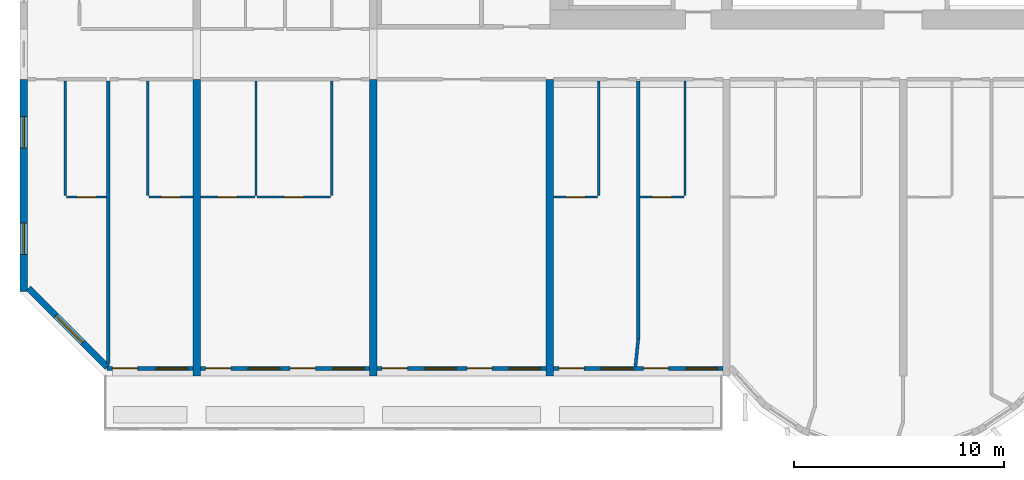
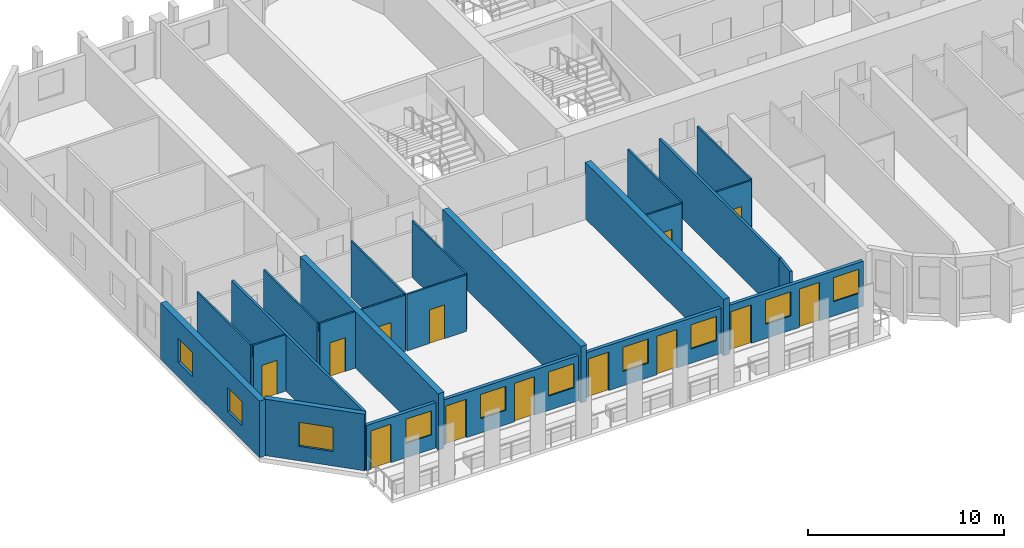
# One storey, part 2 of 15: 24 walls, 13 doors, 10 windows, 23 openings.
"""IFC4 building model written with IfcOpenShell, lengths in metres."""

from ifc_helpers import new_model, si_unit, direction, frame, frame_2d, origin, place, context, subcontext, project, spatial, rectangle, extrude, source, transform, mapped, material, layer, layer_set, type_object, element, fill, save


model = new_model("IFC4")

# Units and contexts
model_context = context("Model", 3, precision=1e-05, world=origin(), true_north=direction((0.0, 1.0)))
body_context = subcontext(model_context, "Body", "Model", "MODEL_VIEW")
ifc_project = project(units=[si_unit("LENGTHUNIT", "METRE"), si_unit("AREAUNIT", "SQUARE_METRE"), si_unit("VOLUMEUNIT", "CUBIC_METRE"), si_unit("PLANEANGLEUNIT", "RADIAN"), si_unit("MASSUNIT", "GRAM", prefix="KILO")], contexts=[model_context])

# Site, building, storey
site_placement = place(None, origin())
site = spatial("IfcSite", under=ifc_project, at=site_placement, CompositionType="ELEMENT")
building_placement = place(site_placement, origin())
building = spatial("IfcBuilding", under=site, at=building_placement, Name="Vanashikhar Sky Hotel", CompositionType="ELEMENT")
storey_placement = place(building_placement, frame((0.0, 0.0, 95.199951171875)))
storey = spatial("IfcBuildingStorey", under=building, at=storey_placement, Name="L22", CompositionType="ELEMENT", Elevation=95.199951171875)

# Wall, openings, windows
ifc_material_1 = material(Name="Concrete M70", Category="concrete")
ifc_layer_1 = layer(ifc_material_1, 0.35009765625)
ifc_layer_set_1 = layer_set([ifc_layer_1], Name="RC shear wall 350 Concrete M70")
wall_type_1 = type_object("IfcWallType", Name="RC shear wall 350 Concrete M70", PredefinedType="SHEAR", material=ifc_layer_set_1)
shared_shape_1 = source(origin(), body_context, "Body", "SweptSolid", [
    extrude(rectangle(XDim=10.10009765625, YDim=0.35009765625, at=frame_2d((5.050048828125, 0.0))), origin(), (0.0, 0.0, 1.0), 3.52001953125),
])
wall_1_placement = place(storey_placement, frame((0.175048828125, 9.5, 0.0), z_axis=(0.0, 0.0, 1.0), x_axis=(0.0, 1.0, 0.0)))
wall_1 = element("IfcWall", 1, at=wall_1_placement, inside=storey, type_object=wall_type_1, Name="CW-L22-XW01-1", PredefinedType="SHEAR", context=body_context, shape_type="MappedRepresentation", body=[
    mapped(shared_shape_1, transform((0.0, 0.0, 0.0), scale=1.0)),
])
shared_shape_2 = source(origin(), body_context, "Body", "SweptSolid", [
    extrude(rectangle(XDim=1.5, YDim=1.5, at=frame_2d((0.75, 0.75))), frame((0.0, 0.18505859375, 0.0), z_axis=(0.0, -1.0, 0.0), x_axis=(1.0, 0.0, 0.0)), (0.0, 0.0, 1.0), 0.3701171875),
])
opening_1_placement = place(wall_1_placement, frame((1.77490234375, 0.0, 0.89990234375)))
opening_1 = element("IfcOpeningElement", 2, at=opening_1_placement, cuts=wall_1, Name="Opening WN-1", PredefinedType="OPENING", context=body_context, shape_type="MappedRepresentation", body=[
    mapped(shared_shape_2, transform((0.0, 0.0, 0.0), scale=1.0)),
])
opening_2_placement = place(wall_1_placement, frame((6.824951171875, 0.0, 0.89990234375)))
opening_2 = element("IfcOpeningElement", 3, at=opening_2_placement, cuts=wall_1, Name="Opening WN-1", PredefinedType="OPENING", context=body_context, shape_type="MappedRepresentation", body=[
    mapped(shared_shape_2, transform((0.0, 0.0, 0.0), scale=1.0)),
])
ifc_material_2 = material(Name="Glass", Category="glass")
window_type_1 = type_object("IfcWindowType", Name="Window 1500 x 1500", PartitioningType="SINGLE_PANEL", PredefinedType="WINDOW", material=ifc_material_2)
shared_shape_3 = source(origin(), body_context, "Body", "SweptSolid", [
    extrude(rectangle(XDim=1.5, YDim=1.5, at=frame_2d((0.75, 0.75))), frame((0.0, 0.030029296875, 0.0), z_axis=(0.0, -1.0, 0.0), x_axis=(1.0, 0.0, 0.0)), (0.0, 0.0, 1.0), 0.06005859375),
])
window_1_placement = place(opening_1_placement, origin())
window_1 = element("IfcWindow", 4, at=window_1_placement, inside=storey, type_object=window_type_1, Name="Window WN-1", OverallHeight=1.5, OverallWidth=1.5, PartitioningType="SINGLE_PANEL", PredefinedType="WINDOW", context=body_context, shape_type="MappedRepresentation", body=[
    mapped(shared_shape_3, transform((0.0, 0.0, 0.0), scale=1.0)),
])
fill(opening_1, window_1)
window_2_placement = place(opening_2_placement, origin())
window_2 = element("IfcWindow", 5, at=window_2_placement, inside=storey, type_object=window_type_1, Name="Window WN-1", OverallHeight=1.5, OverallWidth=1.5, PartitioningType="SINGLE_PANEL", PredefinedType="WINDOW", context=body_context, shape_type="MappedRepresentation", body=[
    mapped(shared_shape_3, transform((0.0, 0.0, 0.0), scale=1.0)),
])
fill(opening_2, window_2)

# Walls
shared_shape_4 = source(origin(), body_context, "Body", "SweptSolid", [
    extrude(rectangle(XDim=14.10009765625, YDim=0.35009765625, at=frame_2d((7.050048828125, 0.0))), origin(), (0.0, 0.0, 1.0), 3.52001953125),
])
for number, where, z_axis, x_axis, name in (
    (6, (8.39990234375, 5.5, 0.0), (0.0, 0.0, 1.0), (0.0, 1.0, 0.0), "CW-L22-XW02-1"),
    (7, (16.800048828125, 5.5, 0.0), (0.0, 0.0, 1.0), (0.0, 1.0, 0.0), "CW-L22-XW03-1"),
    (8, (25.199951171875, 5.5, 0.0), (0.0, 0.0, 1.0), (0.0, 1.0, 0.0), "CW-L22-XW04-1"),
):
    element("IfcWall", number, at=place(storey_placement, frame(where, z_axis=z_axis, x_axis=x_axis)), inside=storey, type_object=wall_type_1, Name=name, PredefinedType="SHEAR", context=body_context, shape_type="MappedRepresentation", body=[
        mapped(shared_shape_4, transform((0.0, 0.0, 0.0), scale=1.0)),
    ])

# Wall, opening, window
ifc_material_3 = material(Name="Concrete M50", Category="concrete")
ifc_layer_2 = layer(ifc_material_3, 0.300048828125)
ifc_layer_set_2 = layer_set([ifc_layer_2], Name="Lobe wall 300")
wall_type_2 = type_object("IfcWallType", Name="Lobe wall 300", PredefinedType="SOLIDWALL", material=ifc_layer_set_2)
shared_shape_5 = source(origin(), body_context, "Body", "SweptSolid", [
    extrude(rectangle(XDim=5.32568359375, YDim=0.300048828125, at=frame_2d((2.662841796875, 0.0))), origin(), (0.0, 0.0, 1.0), 3.52001953125),
])
wall_2_placement = place(storey_placement, frame((0.39990234375, 9.665771484375, 0.0), z_axis=(0.0, 0.0, 1.0), x_axis=(0.707106781187, -0.707106781187, 0.0)))
wall_2 = element("IfcWall", 9, at=wall_2_placement, inside=storey, type_object=wall_type_2, Name="Corner wall", PredefinedType="SOLIDWALL", context=body_context, shape_type="MappedRepresentation", body=[
    mapped(shared_shape_5, transform((0.0, 0.0, 0.0), scale=1.0)),
])
shared_shape_6 = source(origin(), body_context, "Body", "SweptSolid", [
    extrude(rectangle(XDim=1.800048828125, YDim=1.5, at=frame_2d((0.89990234375, 0.75))), frame((0.0, 0.16015625, 0.0), z_axis=(0.0, -1.0, 0.0), x_axis=(1.0, 0.0, 0.0)), (0.0, 0.0, 1.0), 0.320068359375),
])
opening_3_placement = place(wall_2_placement, frame((1.853759765625, 0.0, 0.89990234375)))
opening_3 = element("IfcOpeningElement", 10, at=opening_3_placement, cuts=wall_2, Name="Opening WN-4", PredefinedType="OPENING", context=body_context, shape_type="MappedRepresentation", body=[
    mapped(shared_shape_6, transform((0.0, 0.0, 0.0), scale=1.0)),
])
window_type_2 = type_object("IfcWindowType", Name="Corner window 1800 x 1500", PartitioningType="SINGLE_PANEL", PredefinedType="WINDOW", material=ifc_material_2)
shared_shape_7 = source(origin(), body_context, "Body", "SweptSolid", [
    extrude(rectangle(XDim=1.800048828125, YDim=1.5, at=frame_2d((0.89990234375, 0.75))), frame((0.0, 0.030029296875, 0.0), z_axis=(0.0, -1.0, 0.0), x_axis=(1.0, 0.0, 0.0)), (0.0, 0.0, 1.0), 0.06005859375),
])
window_3_placement = place(opening_3_placement, origin())
window_3 = element("IfcWindow", 11, at=window_3_placement, inside=storey, type_object=window_type_2, Name="Window WN-4", OverallHeight=1.5, OverallWidth=1.800048828125, PartitioningType="SINGLE_PANEL", PredefinedType="WINDOW", context=body_context, shape_type="MappedRepresentation", body=[
    mapped(shared_shape_7, transform((0.0, 0.0, 0.0), scale=1.0)),
])
fill(opening_3, window_3)

# Wall, openings, window, door
ifc_layer_3 = layer(ifc_material_3, 0.199951171875)
ifc_layer_set_3 = layer_set([ifc_layer_3], Name="Front window wall 200")
wall_type_3 = type_object("IfcWallType", Name="Front window wall 200", PredefinedType="SOLIDWALL", material=ifc_layer_set_3)
shared_shape_8 = source(origin(), body_context, "Body", "SweptSolid", [
    extrude(rectangle(XDim=4.080078125, YDim=0.199951171875, at=frame_2d((2.0400390625, 0.0))), origin(), (0.0, 0.0, 1.0), 2.820068359375),
])
wall_3_placement = place(storey_placement, frame((4.14501953125, 5.85009765625, 0.0), z_axis=(0.0, 0.0, 1.0), x_axis=(1.0, 0.0, 0.0)))
wall_3 = element("IfcWall", 12, at=wall_3_placement, inside=storey, type_object=wall_type_3, Name="Front window wall", PredefinedType="SOLIDWALL", context=body_context, shape_type="MappedRepresentation", body=[
    mapped(shared_shape_8, transform((0.0, 0.0, 0.0), scale=1.0)),
])
shared_shape_9 = source(origin(), body_context, "Body", "SweptSolid", [
    extrude(rectangle(XDim=1.199951171875, YDim=2.39990234375, at=frame_2d((0.60009765625, 1.199951171875))), frame((0.0, 0.10986328125, 0.0), z_axis=(0.0, -1.0, 0.0), x_axis=(1.0, 0.0, 0.0)), (0.0, 0.0, 1.0), 0.219970703125),
])
opening_4_placement = place(wall_3_placement, frame((0.25, 0.0, 0.0)))
opening_4 = element("IfcOpeningElement", 13, at=opening_4_placement, cuts=wall_3, Name="Opening BD-01", PredefinedType="OPENING", context=body_context, shape_type="MappedRepresentation", body=[
    mapped(shared_shape_9, transform((0.0, 0.0, 0.0), scale=1.0)),
])
shared_shape_10 = source(origin(), body_context, "Body", "SweptSolid", [
    extrude(rectangle(XDim=1.5, YDim=1.5, at=frame_2d((0.75, 0.75))), frame((0.0, 0.10986328125, 0.0), z_axis=(0.0, -1.0, 0.0), x_axis=(1.0, 0.0, 0.0)), (0.0, 0.0, 1.0), 0.219970703125),
])
opening_5_placement = place(wall_3_placement, frame((2.330078125, 0.0, 0.89990234375)))
opening_5 = element("IfcOpeningElement", 14, at=opening_5_placement, cuts=wall_3, Name="Opening WN-1", PredefinedType="OPENING", context=body_context, shape_type="MappedRepresentation", body=[
    mapped(shared_shape_10, transform((0.0, 0.0, 0.0), scale=1.0)),
])
window_4_placement = place(opening_5_placement, origin())
window_4 = element("IfcWindow", 15, at=window_4_placement, inside=storey, type_object=window_type_1, Name="Window WN-1", OverallHeight=1.5, OverallWidth=1.5, PartitioningType="SINGLE_PANEL", PredefinedType="WINDOW", context=body_context, shape_type="MappedRepresentation", body=[
    mapped(shared_shape_3, transform((0.0, 0.0, 0.0), scale=1.0)),
])
fill(opening_5, window_4)
ifc_material_4 = material(Name="Aluminium", Category="aluminium")
door_type_1 = type_object("IfcDoorType", Name="Balcony sliding door 1200 x 2400", OperationType="NOTDEFINED", PredefinedType="DOOR", material=ifc_material_4)
shared_shape_11 = source(origin(), body_context, "Body", "SweptSolid", [
    extrude(rectangle(XDim=1.199951171875, YDim=2.39990234375, at=frame_2d((0.60009765625, 1.199951171875))), frame((0.0, 0.02490234375, 0.0), z_axis=(0.0, -1.0, 0.0), x_axis=(1.0, 0.0, 0.0)), (0.0, 0.0, 1.0), 0.050048828125),
])
door_1_placement = place(opening_4_placement, origin())
door_1 = element("IfcDoor", 16, at=door_1_placement, inside=storey, type_object=door_type_1, Name="Balcony sliding door", OperationType="SLIDING_TO_LEFT", OverallHeight=2.39990234375, OverallWidth=1.199951171875, PredefinedType="DOOR", context=body_context, shape_type="MappedRepresentation", body=[
    mapped(shared_shape_11, transform((0.0, 0.0, 0.0), scale=1.0)),
])
fill(opening_4, door_1)

# Wall, openings, windows, doors
shared_shape_12 = source(origin(), body_context, "Body", "SweptSolid", [
    extrude(rectangle(XDim=8.050048828125, YDim=0.199951171875, at=frame_2d((4.02490234375, 0.0))), origin(), (0.0, 0.0, 1.0), 2.820068359375),
])
wall_4_placement = place(storey_placement, frame((8.574951171875, 5.85009765625, 0.0), z_axis=(0.0, 0.0, 1.0), x_axis=(1.0, 0.0, 0.0)))
wall_4 = element("IfcWall", 17, at=wall_4_placement, inside=storey, type_object=wall_type_3, Name="Front window wall", PredefinedType="SOLIDWALL", context=body_context, shape_type="MappedRepresentation", body=[
    mapped(shared_shape_12, transform((0.0, 0.0, 0.0), scale=1.0)),
])
opening_6_placement = place(wall_4_placement, frame((0.25, 0.0, 0.0)))
opening_6 = element("IfcOpeningElement", 18, at=opening_6_placement, cuts=wall_4, Name="Opening BD-02", PredefinedType="OPENING", context=body_context, shape_type="MappedRepresentation", body=[
    mapped(shared_shape_9, transform((0.0, 0.0, 0.0), scale=1.0)),
])
opening_7_placement = place(wall_4_placement, frame((2.27490234375, 0.0, 0.89990234375)))
opening_7 = element("IfcOpeningElement", 19, at=opening_7_placement, cuts=wall_4, Name="Opening WN-1", PredefinedType="OPENING", context=body_context, shape_type="MappedRepresentation", body=[
    mapped(shared_shape_10, transform((0.0, 0.0, 0.0), scale=1.0)),
])
opening_8_placement = place(wall_4_placement, frame((4.27490234375, 0.0, 0.0)))
opening_8 = element("IfcOpeningElement", 20, at=opening_8_placement, cuts=wall_4, Name="Opening BD-03", PredefinedType="OPENING", context=body_context, shape_type="MappedRepresentation", body=[
    mapped(shared_shape_9, transform((0.0, 0.0, 0.0), scale=1.0)),
])
opening_9_placement = place(wall_4_placement, frame((6.300048828125, 0.0, 0.89990234375)))
opening_9 = element("IfcOpeningElement", 21, at=opening_9_placement, cuts=wall_4, Name="Opening WN-1", PredefinedType="OPENING", context=body_context, shape_type="MappedRepresentation", body=[
    mapped(shared_shape_10, transform((0.0, 0.0, 0.0), scale=1.0)),
])
window_5_placement = place(opening_7_placement, origin())
window_5 = element("IfcWindow", 22, at=window_5_placement, inside=storey, type_object=window_type_1, Name="Window WN-1", OverallHeight=1.5, OverallWidth=1.5, PartitioningType="SINGLE_PANEL", PredefinedType="WINDOW", context=body_context, shape_type="MappedRepresentation", body=[
    mapped(shared_shape_3, transform((0.0, 0.0, 0.0), scale=1.0)),
])
fill(opening_7, window_5)
window_6_placement = place(opening_9_placement, origin())
window_6 = element("IfcWindow", 23, at=window_6_placement, inside=storey, type_object=window_type_1, Name="Window WN-1", OverallHeight=1.5, OverallWidth=1.5, PartitioningType="SINGLE_PANEL", PredefinedType="WINDOW", context=body_context, shape_type="MappedRepresentation", body=[
    mapped(shared_shape_3, transform((0.0, 0.0, 0.0), scale=1.0)),
])
fill(opening_9, window_6)
door_2_placement = place(opening_6_placement, origin())
door_2 = element("IfcDoor", 24, at=door_2_placement, inside=storey, type_object=door_type_1, Name="Balcony sliding door", OperationType="SLIDING_TO_RIGHT", OverallHeight=2.39990234375, OverallWidth=1.199951171875, PredefinedType="DOOR", context=body_context, shape_type="MappedRepresentation", body=[
    mapped(shared_shape_11, transform((0.0, 0.0, 0.0), scale=1.0)),
])
fill(opening_6, door_2)
door_3_placement = place(opening_8_placement, origin())
door_3 = element("IfcDoor", 25, at=door_3_placement, inside=storey, type_object=door_type_1, Name="Balcony sliding door", OperationType="SLIDING_TO_LEFT", OverallHeight=2.39990234375, OverallWidth=1.199951171875, PredefinedType="DOOR", context=body_context, shape_type="MappedRepresentation", body=[
    mapped(shared_shape_11, transform((0.0, 0.0, 0.0), scale=1.0)),
])
fill(opening_8, door_3)

wall_5_placement = place(storey_placement, frame((25.375, 5.85009765625, 0.0), z_axis=(0.0, 0.0, 1.0), x_axis=(1.0, 0.0, 0.0)))
wall_5 = element("IfcWall", 26, at=wall_5_placement, inside=storey, type_object=wall_type_3, Name="Front window wall", PredefinedType="SOLIDWALL", context=body_context, shape_type="MappedRepresentation", body=[
    mapped(shared_shape_12, transform((0.0, 0.0, 0.0), scale=1.0)),
])
opening_10_placement = place(wall_5_placement, frame((0.25, 0.0, 0.0)))
opening_10 = element("IfcOpeningElement", 27, at=opening_10_placement, cuts=wall_5, Name="Opening BD-06", PredefinedType="OPENING", context=body_context, shape_type="MappedRepresentation", body=[
    mapped(shared_shape_9, transform((0.0, 0.0, 0.0), scale=1.0)),
])
opening_11_placement = place(wall_5_placement, frame((2.27490234375, 0.0, 0.89990234375)))
opening_11 = element("IfcOpeningElement", 28, at=opening_11_placement, cuts=wall_5, Name="Opening WN-1", PredefinedType="OPENING", context=body_context, shape_type="MappedRepresentation", body=[
    mapped(shared_shape_10, transform((0.0, 0.0, 0.0), scale=1.0)),
])
opening_12_placement = place(wall_5_placement, frame((4.27490234375, 0.0, 0.0)))
opening_12 = element("IfcOpeningElement", 29, at=opening_12_placement, cuts=wall_5, Name="Opening BD-07", PredefinedType="OPENING", context=body_context, shape_type="MappedRepresentation", body=[
    mapped(shared_shape_9, transform((0.0, 0.0, 0.0), scale=1.0)),
])
opening_13_placement = place(wall_5_placement, frame((6.300048828125, 0.0, 0.89990234375)))
opening_13 = element("IfcOpeningElement", 30, at=opening_13_placement, cuts=wall_5, Name="Opening WN-1", PredefinedType="OPENING", context=body_context, shape_type="MappedRepresentation", body=[
    mapped(shared_shape_10, transform((0.0, 0.0, 0.0), scale=1.0)),
])
window_7_placement = place(opening_11_placement, origin())
window_7 = element("IfcWindow", 31, at=window_7_placement, inside=storey, type_object=window_type_1, Name="Window WN-1", OverallHeight=1.5, OverallWidth=1.5, PartitioningType="SINGLE_PANEL", PredefinedType="WINDOW", context=body_context, shape_type="MappedRepresentation", body=[
    mapped(shared_shape_3, transform((0.0, 0.0, 0.0), scale=1.0)),
])
fill(opening_11, window_7)
window_8_placement = place(opening_13_placement, origin())
window_8 = element("IfcWindow", 32, at=window_8_placement, inside=storey, type_object=window_type_1, Name="Window WN-1", OverallHeight=1.5, OverallWidth=1.5, PartitioningType="SINGLE_PANEL", PredefinedType="WINDOW", context=body_context, shape_type="MappedRepresentation", body=[
    mapped(shared_shape_3, transform((0.0, 0.0, 0.0), scale=1.0)),
])
fill(opening_13, window_8)
door_4_placement = place(opening_10_placement, origin())
door_4 = element("IfcDoor", 33, at=door_4_placement, inside=storey, type_object=door_type_1, Name="Balcony sliding door", OperationType="SLIDING_TO_RIGHT", OverallHeight=2.39990234375, OverallWidth=1.199951171875, PredefinedType="DOOR", context=body_context, shape_type="MappedRepresentation", body=[
    mapped(shared_shape_11, transform((0.0, 0.0, 0.0), scale=1.0)),
])
fill(opening_10, door_4)
door_5_placement = place(opening_12_placement, origin())
door_5 = element("IfcDoor", 34, at=door_5_placement, inside=storey, type_object=door_type_1, Name="Balcony sliding door", OperationType="SLIDING_TO_LEFT", OverallHeight=2.39990234375, OverallWidth=1.199951171875, PredefinedType="DOOR", context=body_context, shape_type="MappedRepresentation", body=[
    mapped(shared_shape_11, transform((0.0, 0.0, 0.0), scale=1.0)),
])
fill(opening_12, door_5)

shared_shape_13 = source(origin(), body_context, "Body", "SweptSolid", [
    extrude(rectangle(XDim=8.0498046875, YDim=0.199951171875, at=frame_2d((4.02490234375, 0.0))), origin(), (0.0, 0.0, 1.0), 2.820068359375),
])
wall_6_placement = place(storey_placement, frame((16.97509765625, 5.85009765625, 0.0), z_axis=(0.0, 0.0, 1.0), x_axis=(1.0, 0.0, 0.0)))
wall_6 = element("IfcWall", 35, at=wall_6_placement, inside=storey, type_object=wall_type_3, Name="Front window wall", PredefinedType="SOLIDWALL", context=body_context, shape_type="MappedRepresentation", body=[
    mapped(shared_shape_13, transform((0.0, 0.0, 0.0), scale=1.0)),
])
opening_14_placement = place(wall_6_placement, frame((0.25, 0.0, 0.0)))
opening_14 = element("IfcOpeningElement", 36, at=opening_14_placement, cuts=wall_6, Name="Opening BD-04", PredefinedType="OPENING", context=body_context, shape_type="MappedRepresentation", body=[
    mapped(shared_shape_9, transform((0.0, 0.0, 0.0), scale=1.0)),
])
opening_15_placement = place(wall_6_placement, frame((2.27490234375, 0.0, 0.89990234375)))
opening_15 = element("IfcOpeningElement", 37, at=opening_15_placement, cuts=wall_6, Name="Opening WN-1", PredefinedType="OPENING", context=body_context, shape_type="MappedRepresentation", body=[
    mapped(shared_shape_10, transform((0.0, 0.0, 0.0), scale=1.0)),
])
opening_16_placement = place(wall_6_placement, frame((4.27490234375, 0.0, 0.0)))
opening_16 = element("IfcOpeningElement", 38, at=opening_16_placement, cuts=wall_6, Name="Opening BD-05", PredefinedType="OPENING", context=body_context, shape_type="MappedRepresentation", body=[
    mapped(shared_shape_9, transform((0.0, 0.0, 0.0), scale=1.0)),
])
opening_17_placement = place(wall_6_placement, frame((6.300048828125, 0.0, 0.89990234375)))
opening_17 = element("IfcOpeningElement", 39, at=opening_17_placement, cuts=wall_6, Name="Opening WN-1", PredefinedType="OPENING", context=body_context, shape_type="MappedRepresentation", body=[
    mapped(shared_shape_10, transform((0.0, 0.0, 0.0), scale=1.0)),
])
window_9_placement = place(opening_15_placement, origin())
window_9 = element("IfcWindow", 40, at=window_9_placement, inside=storey, type_object=window_type_1, Name="Window WN-1", OverallHeight=1.5, OverallWidth=1.5, PartitioningType="SINGLE_PANEL", PredefinedType="WINDOW", context=body_context, shape_type="MappedRepresentation", body=[
    mapped(shared_shape_3, transform((0.0, 0.0, 0.0), scale=1.0)),
])
fill(opening_15, window_9)
window_10_placement = place(opening_17_placement, origin())
window_10 = element("IfcWindow", 41, at=window_10_placement, inside=storey, type_object=window_type_1, Name="Window WN-1", OverallHeight=1.5, OverallWidth=1.5, PartitioningType="SINGLE_PANEL", PredefinedType="WINDOW", context=body_context, shape_type="MappedRepresentation", body=[
    mapped(shared_shape_3, transform((0.0, 0.0, 0.0), scale=1.0)),
])
fill(opening_17, window_10)
door_6_placement = place(opening_14_placement, origin())
door_6 = element("IfcDoor", 42, at=door_6_placement, inside=storey, type_object=door_type_1, Name="Balcony sliding door", OperationType="SLIDING_TO_RIGHT", OverallHeight=2.39990234375, OverallWidth=1.199951171875, PredefinedType="DOOR", context=body_context, shape_type="MappedRepresentation", body=[
    mapped(shared_shape_11, transform((0.0, 0.0, 0.0), scale=1.0)),
])
fill(opening_14, door_6)
door_7_placement = place(opening_16_placement, origin())
door_7 = element("IfcDoor", 43, at=door_7_placement, inside=storey, type_object=door_type_1, Name="Balcony sliding door", OperationType="SLIDING_TO_LEFT", OverallHeight=2.39990234375, OverallWidth=1.199951171875, PredefinedType="DOOR", context=body_context, shape_type="MappedRepresentation", body=[
    mapped(shared_shape_11, transform((0.0, 0.0, 0.0), scale=1.0)),
])
fill(opening_16, door_7)

# Wall, opening, door
ifc_material_5 = material(Name="Gypsum plasterboard partition")
ifc_layer_4 = layer(ifc_material_5, 0.10009765625)
ifc_layer_set_4 = layer_set([ifc_layer_4], Name="Wet room partition 100")
wall_type_4 = type_object("IfcWallType", Name="Wet room partition 100", PredefinedType="PARTITIONING", material=ifc_layer_set_4)
shared_shape_14 = source(origin(), body_context, "Body", "SweptSolid", [
    extrude(rectangle(XDim=3.5, YDim=0.10009765625, at=frame_2d((1.75, 0.0))), origin(), (0.0, 0.0, 1.0), 3.52001953125),
])
wall_7_placement = place(storey_placement, frame((11.27490234375, 14.0, 0.0), z_axis=(0.0, 0.0, 1.0), x_axis=(1.0, 0.0, 0.0)))
wall_7 = element("IfcWall", 44, at=wall_7_placement, inside=storey, type_object=wall_type_4, Name="W-L22-PW010", PredefinedType="PARTITIONING", context=body_context, shape_type="MappedRepresentation", body=[
    mapped(shared_shape_14, transform((0.0, 0.0, 0.0), scale=1.0)),
])
shared_shape_15 = source(origin(), body_context, "Body", "SweptSolid", [
    extrude(rectangle(XDim=0.89990234375, YDim=2.10009765625, at=frame_2d((0.449951171875, 1.050048828125))), frame((0.0, 0.06005859375, 0.0), z_axis=(0.0, -1.0, 0.0), x_axis=(1.0, 0.0, 0.0)), (0.0, 0.0, 1.0), 0.1201171875),
])
opening_18_placement = place(wall_7_placement, frame((1.300048828125, 0.0, 0.0)))
opening_18 = element("IfcOpeningElement", 45, at=opening_18_placement, cuts=wall_7, Name="Opening D-02", PredefinedType="OPENING", context=body_context, shape_type="MappedRepresentation", body=[
    mapped(shared_shape_15, transform((0.0, 0.0, 0.0), scale=1.0)),
])
ifc_material_6 = material(Name="Timber door", Category="wood")
door_type_2 = type_object("IfcDoorType", Name="Internal door 900", OperationType="NOTDEFINED", PredefinedType="DOOR", material=ifc_material_6)
shared_shape_16 = source(origin(), body_context, "Body", "SweptSolid", [
    extrude(rectangle(XDim=0.89990234375, YDim=2.10009765625, at=frame_2d((0.449951171875, 1.050048828125))), frame((0.0, 0.02490234375, 0.0), z_axis=(0.0, -1.0, 0.0), x_axis=(1.0, 0.0, 0.0)), (0.0, 0.0, 1.0), 0.050048828125),
])
door_8_placement = place(opening_18_placement, origin())
door_8 = element("IfcDoor", 46, at=door_8_placement, inside=storey, type_object=door_type_2, Name="D-L22-005", OperationType="SINGLE_SWING_RIGHT", OverallHeight=2.10009765625, OverallWidth=0.89990234375, PredefinedType="DOOR", context=body_context, shape_type="MappedRepresentation", body=[
    mapped(shared_shape_16, transform((0.0, 0.0, 0.0), scale=1.0)),
])
fill(opening_18, door_8)

# Walls
shared_shape_17 = source(origin(), body_context, "Body", "SweptSolid", [
    extrude(rectangle(XDim=5.449951171875, YDim=0.10009765625, at=frame_2d((2.72509765625, 0.0))), origin(), (0.0, 0.0, 1.0), 3.52001953125),
])
for number, where, z_axis, x_axis, name in (
    (47, (2.14990234375, 14.074951171875, 0.0), (0.0, 0.0, 1.0), (0.0, 1.0, 0.0), "W-L22-PW001"),
    (48, (6.074951171875, 14.074951171875, 0.0), (0.0, 0.0, 1.0), (0.0, 1.0, 0.0), "W-L22-PW004"),
    (49, (14.824951171875, 14.074951171875, 0.0), (0.0, 0.0, 1.0), (0.0, 1.0, 0.0), "W-L22-PW008"),
    (50, (11.22509765625, 14.074951171875, 0.0), (0.0, 0.0, 1.0), (0.0, 1.0, 0.0), "W-L22-PW009"),
    (51, (27.52490234375, 14.074951171875, 0.0), (0.0, 0.0, 1.0), (0.0, 1.0, 0.0), "W-L22-PW014"),
    (52, (31.625, 14.074951171875, 0.0), (0.0, 0.0, 1.0), (0.0, 1.0, 0.0), "W-L22-PW017"),
):
    element("IfcWall", number, at=place(storey_placement, frame(where, z_axis=z_axis, x_axis=x_axis)), inside=storey, type_object=wall_type_4, Name=name, PredefinedType="PARTITIONING", context=body_context, shape_type="MappedRepresentation", body=[
        mapped(shared_shape_17, transform((0.0, 0.0, 0.0), scale=1.0)),
    ])

# Wall, opening, door
shared_shape_18 = source(origin(), body_context, "Body", "SweptSolid", [
    extrude(rectangle(XDim=1.925048828125, YDim=0.10009765625, at=frame_2d((0.96240234375, 0.0))), origin(), (0.0, 0.0, 1.0), 3.52001953125),
])
wall_8_placement = place(storey_placement, frame((2.199951171875, 14.0, 0.0), z_axis=(0.0, 0.0, 1.0), x_axis=(1.0, 0.0, 0.0)))
wall_8 = element("IfcWall", 53, at=wall_8_placement, inside=storey, type_object=wall_type_4, Name="W-L22-PW002", PredefinedType="PARTITIONING", context=body_context, shape_type="MappedRepresentation", body=[
    mapped(shared_shape_18, transform((0.0, 0.0, 0.0), scale=1.0)),
])
opening_19_placement = place(wall_8_placement, frame((0.511962890625, 0.0, 0.0)))
opening_19 = element("IfcOpeningElement", 54, at=opening_19_placement, cuts=wall_8, Name="Opening D-02", PredefinedType="OPENING", context=body_context, shape_type="MappedRepresentation", body=[
    mapped(shared_shape_15, transform((0.0, 0.0, 0.0), scale=1.0)),
])
door_9_placement = place(opening_19_placement, origin())
door_9 = element("IfcDoor", 55, at=door_9_placement, inside=storey, type_object=door_type_2, Name="D-L22-001", OperationType="SINGLE_SWING_LEFT", OverallHeight=2.10009765625, OverallWidth=0.89990234375, PredefinedType="DOOR", context=body_context, shape_type="MappedRepresentation", body=[
    mapped(shared_shape_16, transform((0.0, 0.0, 0.0), scale=1.0)),
])
fill(opening_19, door_9)

shared_shape_19 = source(origin(), body_context, "Body", "SweptSolid", [
    extrude(rectangle(XDim=2.10009765625, YDim=0.10009765625, at=frame_2d((1.050048828125, 0.0))), origin(), (0.0, 0.0, 1.0), 3.52001953125),
])
wall_9_placement = place(storey_placement, frame((6.125, 14.0, 0.0), z_axis=(0.0, 0.0, 1.0), x_axis=(1.0, 0.0, 0.0)))
wall_9 = element("IfcWall", 56, at=wall_9_placement, inside=storey, type_object=wall_type_4, Name="W-L22-PW005", PredefinedType="PARTITIONING", context=body_context, shape_type="MappedRepresentation", body=[
    mapped(shared_shape_19, transform((0.0, 0.0, 0.0), scale=1.0)),
])
opening_20_placement = place(wall_9_placement, frame((0.60009765625, 0.0, 0.0)))
opening_20 = element("IfcOpeningElement", 57, at=opening_20_placement, cuts=wall_9, Name="Opening D-02", PredefinedType="OPENING", context=body_context, shape_type="MappedRepresentation", body=[
    mapped(shared_shape_15, transform((0.0, 0.0, 0.0), scale=1.0)),
])
door_10_placement = place(opening_20_placement, origin())
door_10 = element("IfcDoor", 58, at=door_10_placement, inside=storey, type_object=door_type_2, Name="D-L22-003", OperationType="SINGLE_SWING_LEFT", OverallHeight=2.10009765625, OverallWidth=0.89990234375, PredefinedType="DOOR", context=body_context, shape_type="MappedRepresentation", body=[
    mapped(shared_shape_16, transform((0.0, 0.0, 0.0), scale=1.0)),
])
fill(opening_20, door_10)

wall_10_placement = place(storey_placement, frame((25.375, 14.0, 0.0), z_axis=(0.0, 0.0, 1.0), x_axis=(1.0, 0.0, 0.0)))
wall_10 = element("IfcWall", 59, at=wall_10_placement, inside=storey, type_object=wall_type_4, Name="W-L22-PW015", PredefinedType="PARTITIONING", context=body_context, shape_type="MappedRepresentation", body=[
    mapped(shared_shape_19, transform((0.0, 0.0, 0.0), scale=1.0)),
])
opening_21_placement = place(wall_10_placement, frame((0.60009765625, 0.0, 0.0)))
opening_21 = element("IfcOpeningElement", 60, at=opening_21_placement, cuts=wall_10, Name="Opening D-02", PredefinedType="OPENING", context=body_context, shape_type="MappedRepresentation", body=[
    mapped(shared_shape_15, transform((0.0, 0.0, 0.0), scale=1.0)),
])
door_11_placement = place(opening_21_placement, origin())
door_11 = element("IfcDoor", 61, at=door_11_placement, inside=storey, type_object=door_type_2, Name="D-L22-009", OperationType="SINGLE_SWING_RIGHT", OverallHeight=2.10009765625, OverallWidth=0.89990234375, PredefinedType="DOOR", context=body_context, shape_type="MappedRepresentation", body=[
    mapped(shared_shape_16, transform((0.0, 0.0, 0.0), scale=1.0)),
])
fill(opening_21, door_11)

# Wall
ifc_layer_5 = layer(ifc_material_5, 0.14990234375)
ifc_layer_set_5 = layer_set([ifc_layer_5], Name="Corridor and demising partition 150")
wall_type_5 = type_object("IfcWallType", Name="Corridor and demising partition 150", PredefinedType="PARTITIONING", material=ifc_layer_set_5)
shared_shape_20 = source(origin(), body_context, "Body", "SweptSolid", [
    extrude(rectangle(XDim=13.447021484375, YDim=0.14990234375, at=frame_2d((6.7236328125, 0.0))), origin(), (0.0, 0.0, 1.0), 3.52001953125),
])
wall_11_placement = place(storey_placement, frame((4.199951171875, 6.077880859375, 0.0), z_axis=(0.0, 0.0, 1.0), x_axis=(0.0, 1.0, 0.0)))
element("IfcWall", 62, at=wall_11_placement, inside=storey, type_object=wall_type_5, Name="W-L22-PW007", PredefinedType="PARTITIONING", context=body_context, shape_type="MappedRepresentation", body=[
    mapped(shared_shape_20, transform((0.0, 0.0, 0.0), scale=1.0)),
])

# Wall, opening, door
shared_shape_21 = source(origin(), body_context, "Body", "SweptSolid", [
    extrude(rectangle(XDim=2.60009765625, YDim=0.10009765625, at=frame_2d((1.300048828125, 0.0))), origin(), (0.0, 0.0, 1.0), 3.52001953125),
])
wall_12_placement = place(storey_placement, frame((8.574951171875, 14.0, 0.0), z_axis=(0.0, 0.0, 1.0), x_axis=(1.0, 0.0, 0.0)))
wall_12 = element("IfcWall", 63, at=wall_12_placement, inside=storey, type_object=wall_type_4, Name="W-L22-PW011", PredefinedType="PARTITIONING", context=body_context, shape_type="MappedRepresentation", body=[
    mapped(shared_shape_21, transform((0.0, 0.0, 0.0), scale=1.0)),
])
opening_22_placement = place(wall_12_placement, frame((0.85009765625, 0.0, 0.0)))
opening_22 = element("IfcOpeningElement", 64, at=opening_22_placement, cuts=wall_12, Name="Opening D-02", PredefinedType="OPENING", context=body_context, shape_type="MappedRepresentation", body=[
    mapped(shared_shape_15, transform((0.0, 0.0, 0.0), scale=1.0)),
])
door_12_placement = place(opening_22_placement, origin())
door_12 = element("IfcDoor", 65, at=door_12_placement, inside=storey, type_object=door_type_2, Name="D-L22-006", OperationType="SINGLE_SWING_RIGHT", OverallHeight=2.10009765625, OverallWidth=0.89990234375, PredefinedType="DOOR", context=body_context, shape_type="MappedRepresentation", body=[
    mapped(shared_shape_16, transform((0.0, 0.0, 0.0), scale=1.0)),
])
fill(opening_22, door_12)

shared_shape_22 = source(origin(), body_context, "Body", "SweptSolid", [
    extrude(rectangle(XDim=2.099853515625, YDim=0.10009765625, at=frame_2d((1.0498046875, 0.0))), origin(), (0.0, 0.0, 1.0), 3.52001953125),
])
wall_13_placement = place(storey_placement, frame((29.47509765625, 14.0, 0.0), z_axis=(0.0, 0.0, 1.0), x_axis=(1.0, 0.0, 0.0)))
wall_13 = element("IfcWall", 66, at=wall_13_placement, inside=storey, type_object=wall_type_4, Name="W-L22-PW018", PredefinedType="PARTITIONING", context=body_context, shape_type="MappedRepresentation", body=[
    mapped(shared_shape_22, transform((0.0, 0.0, 0.0), scale=1.0)),
])
opening_23_placement = place(wall_13_placement, frame((0.60009765625, 0.0, 0.0)))
opening_23 = element("IfcOpeningElement", 67, at=opening_23_placement, cuts=wall_13, Name="Opening D-02", PredefinedType="OPENING", context=body_context, shape_type="MappedRepresentation", body=[
    mapped(shared_shape_15, transform((0.0, 0.0, 0.0), scale=1.0)),
])
door_13_placement = place(opening_23_placement, origin())
door_13 = element("IfcDoor", 68, at=door_13_placement, inside=storey, type_object=door_type_2, Name="D-L22-011", OperationType="SINGLE_SWING_RIGHT", OverallHeight=2.10009765625, OverallWidth=0.89990234375, PredefinedType="DOOR", context=body_context, shape_type="MappedRepresentation", body=[
    mapped(shared_shape_16, transform((0.0, 0.0, 0.0), scale=1.0)),
])
fill(opening_23, door_13)

# Walls
shared_shape_23 = source(origin(), body_context, "Body", "SweptSolid", [
    extrude(rectangle(XDim=12.27490234375, YDim=0.14990234375, at=frame_2d((6.137451171875, 0.0))), origin(), (0.0, 0.0, 1.0), 3.52001953125),
])
wall_14_placement = place(storey_placement, frame((29.39990234375, 7.25, 0.0), z_axis=(0.0, 0.0, 1.0), x_axis=(0.0, 1.0, 0.0)))
element("IfcWall", 69, at=wall_14_placement, inside=storey, type_object=wall_type_5, Name="W-L22-PW020", PredefinedType="PARTITIONING", context=body_context, shape_type="MappedRepresentation", body=[
    mapped(shared_shape_23, transform((0.0, 0.0, 0.0), scale=1.0)),
])
shared_shape_24 = source(origin(), body_context, "Body", "SweptSolid", [
    extrude(rectangle(XDim=1.306640625, YDim=0.14990234375, at=frame_2d((0.6533203125, 0.0))), origin(), (0.0, 0.0, 1.0), 3.52001953125),
])
wall_15_placement = place(storey_placement, frame((29.27001953125, 5.949951171875, 0.0), z_axis=(0.0, 0.0, 1.0), x_axis=(0.099411212066, 0.995046436562, 0.0)))
element("IfcWall", 70, at=wall_15_placement, inside=storey, type_object=wall_type_5, Name="W-L22-PW020B0", PredefinedType="PARTITIONING", context=body_context, shape_type="MappedRepresentation", body=[
    mapped(shared_shape_24, transform((0.0, 0.0, 0.0), scale=1.0)),
])

save(model, "model.ifc")
